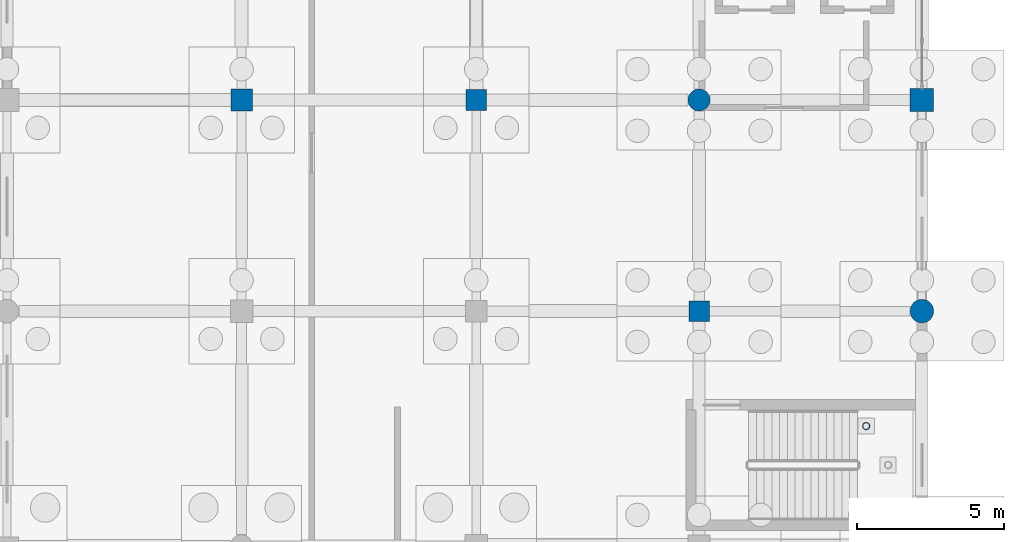
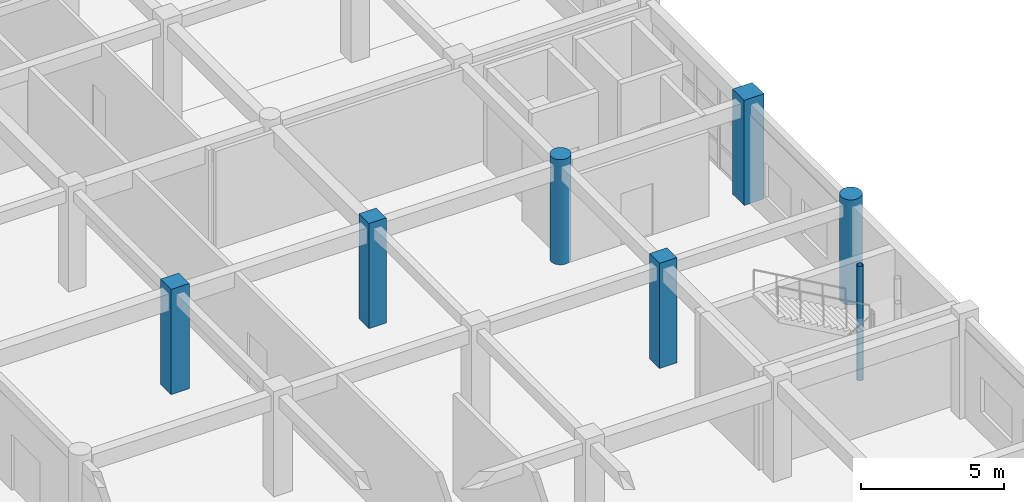
# One storey, part 46 of 166: 7 columns.
"""IFC4 building model written with IfcOpenShell, lengths in metres."""

from ifc_helpers import new_model, si_unit, direction, frame, origin, origin_2d, place, context, subcontext, project, spatial, rectangle, circle, hollow_circle, extrude, material, material_profile, profile_set, type_object, element, save


model = new_model("IFC4")

# Units and contexts
model_context = context("Model", 3, precision=1e-05, world=origin(), true_north=direction((0.0, 1.0)))
body_context = subcontext(model_context, "Body", "Model", "MODEL_VIEW")
ifc_project = project(units=[si_unit("LENGTHUNIT", "METRE"), si_unit("AREAUNIT", "SQUARE_METRE"), si_unit("VOLUMEUNIT", "CUBIC_METRE"), si_unit("PLANEANGLEUNIT", "RADIAN"), si_unit("MASSUNIT", "GRAM", prefix="KILO")], contexts=[model_context])

# Site, building, storey
site_placement = place(None, origin())
site = spatial("IfcSite", under=ifc_project, at=site_placement, CompositionType="ELEMENT")
building_placement = place(site_placement, origin())
building = spatial("IfcBuilding", under=site, at=building_placement, Name="Kharva Crest Polytechnic", CompositionType="ELEMENT")
storey_placement = place(building_placement, origin())
storey = spatial("IfcBuildingStorey", under=building, at=storey_placement, Name="L00", CompositionType="ELEMENT", Elevation=0.0)

# Columns
ifc_material_1 = material(Name="Concrete C40/50", Category="concrete")
ifc_material_profile_1 = material_profile(ifc_material_1, rectangle(XDim=0.800048828125, YDim=0.800048828125, at=origin_2d()), Name="RECT 800 X 800")
ifc_profile_set_1 = profile_set([ifc_material_profile_1], Name="Concrete C40/50")
column_type_1 = type_object("IfcColumnType", Name="COL-EXT-800X800", PredefinedType="COLUMN", material=ifc_profile_set_1)
column_1_placement = place(storey_placement, frame((184.0, 86.0, 0.0), z_axis=(0.0, 0.0, 1.0), x_axis=(1.0, 0.0, 0.0)))
element("IfcColumn", 1, at=column_1_placement, inside=storey, type_object=column_type_1, Name="L00 Column 24/M", PredefinedType="COLUMN", context=body_context, shape_type="SweptSolid", body=[
    extrude(rectangle(XDim=0.800048828125, YDim=0.800048828125, at=origin_2d()), origin(), (0.0, 0.0, 1.0), 4.5),
])
ifc_material_profile_2 = material_profile(ifc_material_1, circle(Radius=0.39990234375, at=origin_2d()), Name="DIA 800")
ifc_profile_set_2 = profile_set([ifc_material_profile_2], Name="Concrete C40/50")
column_type_2 = type_object("IfcColumnType", Name="COL-EXT-DIA800", PredefinedType="COLUMN", material=ifc_profile_set_2)
column_2_placement = place(storey_placement, frame((184.0, 78.800048828125, 0.0), z_axis=(0.0, 0.0, 1.0), x_axis=(1.0, 0.0, 0.0)))
element("IfcColumn", 2, at=column_2_placement, inside=storey, type_object=column_type_2, Name="L00 Column 24/L", PredefinedType="COLUMN", context=body_context, shape_type="SweptSolid", body=[
    extrude(circle(Radius=0.39990234375, at=origin_2d()), origin(), (0.0, 0.0, 1.0), 4.5),
])
ifc_material_profile_3 = material_profile(ifc_material_1, rectangle(XDim=0.699951171875, YDim=0.699951171875, at=origin_2d()), Name="RECT 700 X 700")
ifc_profile_set_3 = profile_set([ifc_material_profile_3], Name="Concrete C40/50")
column_type_3 = type_object("IfcColumnType", Name="COL-INT-700X700", PredefinedType="COLUMN", material=ifc_profile_set_3)
for number, where, z_axis, x_axis, name in (
    (3, (168.800048828125, 86.0, 0.0), (0.0, 0.0, 1.0), (1.0, 0.0, 0.0), "L00 Column 22/M"),
    (4, (176.39990234375, 78.800048828125, 0.0), (0.0, 0.0, 1.0), (1.0, 0.0, 0.0), "L00 Column 23/L"),
):
    element("IfcColumn", number, at=place(storey_placement, frame(where, z_axis=z_axis, x_axis=x_axis)), inside=storey, type_object=column_type_3, Name=name, PredefinedType="COLUMN", context=body_context, shape_type="SweptSolid", body=[
        extrude(rectangle(XDim=0.699951171875, YDim=0.699951171875, at=origin_2d()), origin(), (0.0, 0.0, 1.0), 4.5),
    ])
ifc_material_profile_4 = material_profile(ifc_material_1, rectangle(XDim=0.739990234375, YDim=0.739990234375, at=origin_2d()), Name="RECT 740 X 740")
ifc_profile_set_4 = profile_set([ifc_material_profile_4], Name="Concrete C40/50")
column_type_4 = type_object("IfcColumnType", Name="COL-INT-740X740", PredefinedType="COLUMN", material=ifc_profile_set_4)
column_3_placement = place(storey_placement, frame((160.800048828125, 86.0, 0.0), z_axis=(0.0, 0.0, 1.0), x_axis=(1.0, 0.0, 0.0)))
element("IfcColumn", 5, at=column_3_placement, inside=storey, type_object=column_type_4, Name="L00 Column 21/M", PredefinedType="COLUMN", context=body_context, shape_type="SweptSolid", body=[
    extrude(rectangle(XDim=0.739990234375, YDim=0.739990234375, at=origin_2d()), origin(), (0.0, 0.0, 1.0), 4.5),
])
ifc_material_profile_5 = material_profile(ifc_material_1, circle(Radius=0.375, at=origin_2d()), Name="DIA 750")
ifc_profile_set_5 = profile_set([ifc_material_profile_5], Name="Concrete C40/50")
column_type_5 = type_object("IfcColumnType", Name="COL-INT-DIA750", PredefinedType="COLUMN", material=ifc_profile_set_5)
column_4_placement = place(storey_placement, frame((176.39990234375, 86.0, 0.0), z_axis=(0.0, 0.0, 1.0), x_axis=(1.0, 0.0, 0.0)))
element("IfcColumn", 6, at=column_4_placement, inside=storey, type_object=column_type_5, Name="L00 Column 23/M", PredefinedType="COLUMN", context=body_context, shape_type="SweptSolid", body=[
    extrude(circle(Radius=0.375, at=origin_2d()), origin(), (0.0, 0.0, 1.0), 4.5),
])
ifc_material_2 = material(Name="Steel S355", Category="steel")
ifc_material_profile_6 = material_profile(ifc_material_2, hollow_circle(Radius=0.122314453125, WallThickness=0.010009765625, at=origin_2d()), Name="CHS 244.5X10.0")
ifc_profile_set_6 = profile_set([ifc_material_profile_6], Name="Steel S355")
column_type_6 = type_object("IfcColumnType", Name="COL-STL-CHS244", PredefinedType="COLUMN", material=ifc_profile_set_6)
column_5_placement = place(storey_placement, frame((182.10009765625, 74.8798828125, -0.405029296875), z_axis=(0.0, 0.0, 1.0), x_axis=(1.0, 0.0, 0.0)))
element("IfcColumn", 7, at=column_5_placement, inside=storey, type_object=column_type_6, Name="L00 Stair ST-05 Landing Support Column NW", PredefinedType="COLUMN", context=body_context, shape_type="SweptSolid", body=[
    extrude(hollow_circle(Radius=0.122314453125, WallThickness=0.010009765625, at=origin_2d()), origin(), (0.0, 0.0, 1.0), 4.905029296875),
])

save(model, "model.ifc")
